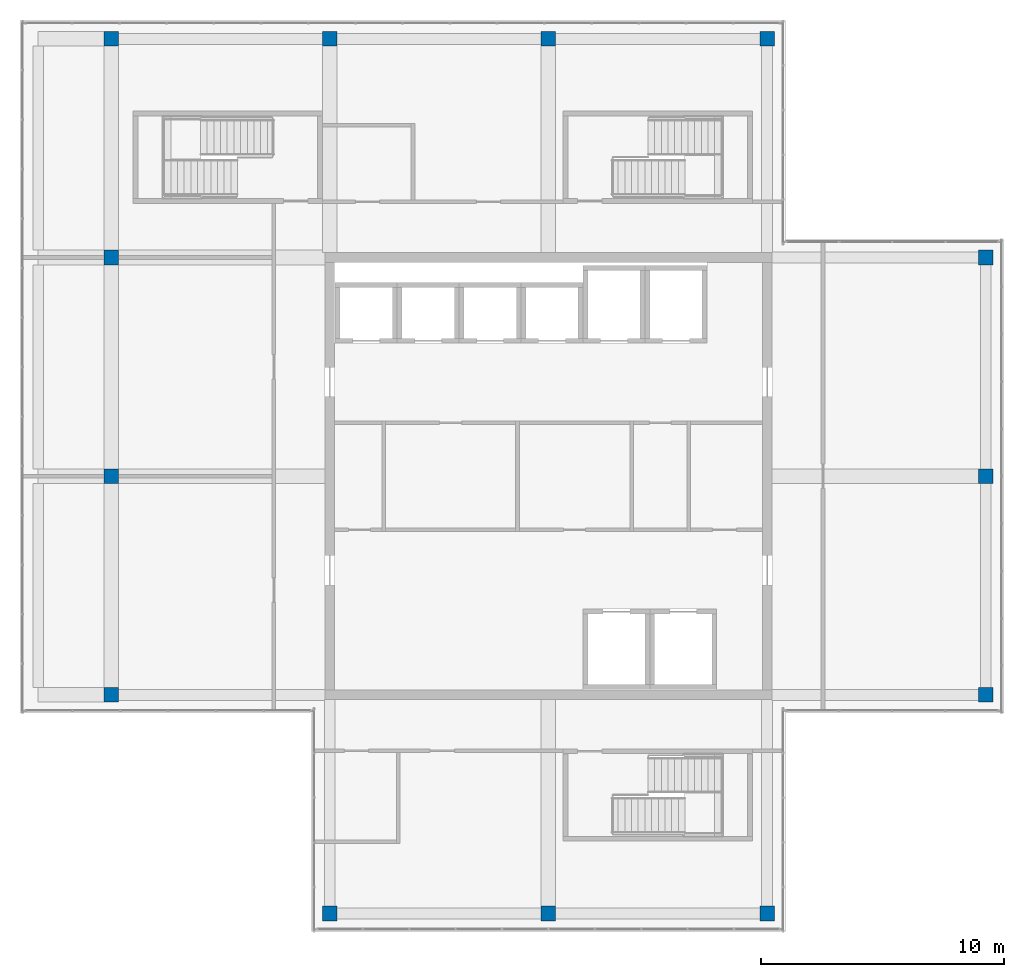
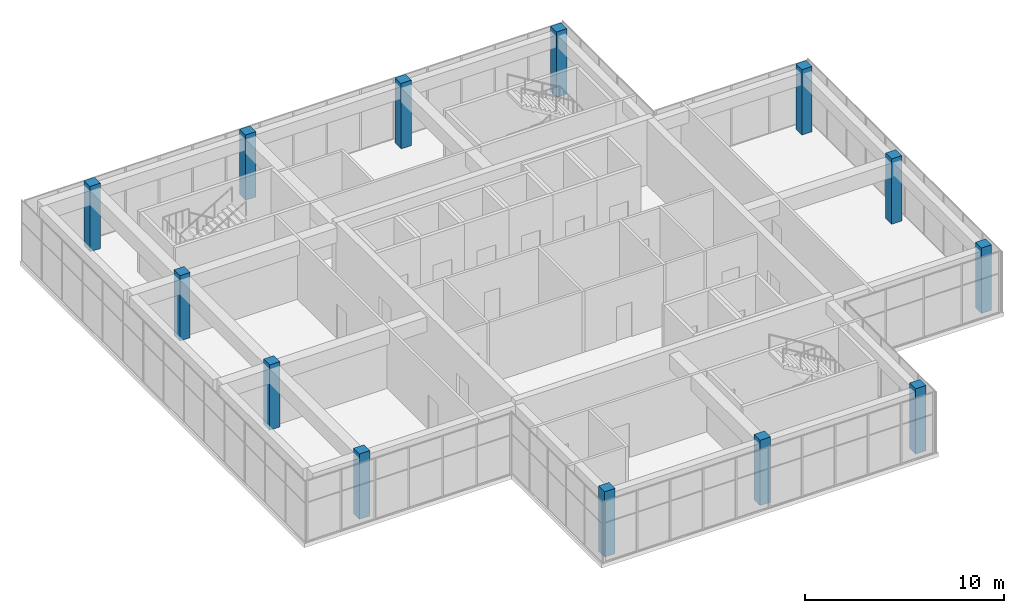
# One storey, part 1 of 35: 13 columns.
"""IFC4 building model written with IfcOpenShell, lengths in metres."""

from ifc_helpers import new_model, si_unit, direction, frame, origin, origin_2d, place, context, subcontext, project, spatial, rectangle, extrude, material, material_profile, profile_set, type_object, element, save


model = new_model("IFC4")

# Units and contexts
model_context = context("Model", 3, precision=1e-05, world=origin(), true_north=direction((0.0, 1.0)))
body_context = subcontext(model_context, "Body", "Model", "MODEL_VIEW")
ifc_project = project(units=[si_unit("LENGTHUNIT", "METRE"), si_unit("AREAUNIT", "SQUARE_METRE"), si_unit("VOLUMEUNIT", "CUBIC_METRE"), si_unit("PLANEANGLEUNIT", "RADIAN"), si_unit("MASSUNIT", "GRAM", prefix="KILO")], contexts=[model_context])

# Site, building, storey
site_placement = place(None, origin())
site = spatial("IfcSite", under=ifc_project, at=site_placement, CompositionType="ELEMENT")
building_placement = place(site_placement, origin())
building = spatial("IfcBuilding", under=site, at=building_placement, Name="Tuart Plaza Theatre", CompositionType="ELEMENT")
storey_placement = place(building_placement, frame((0.0, 0.0, 45.5)))
storey = spatial("IfcBuildingStorey", under=building, at=storey_placement, Name="L11", CompositionType="ELEMENT", Elevation=45.5)

# Columns
ifc_material = material(Name="Concrete N40 (40 MPa)", Category="concrete")
ifc_material_profile = material_profile(ifc_material, rectangle(XDim=0.60009765625, YDim=0.60009765625, at=origin_2d()), Name="COLUMN 600x600 Concrete N40 (40 MPa)")
ifc_profile_set = profile_set([ifc_material_profile], Name="Concrete N40 (40 MPa)")
column_type = type_object("IfcColumnType", Name="COLUMN 600x600 Concrete N40 (40 MPa)", PredefinedType="COLUMN", material=ifc_profile_set)
for number, where, z_axis, x_axis, name in (
    (1, (114.0, 65.0, 0.0), (0.0, 0.0, 1.0), (1.0, 0.0, 0.0), "C80"),
    (2, (114.0, 74.0, 0.0), (0.0, 0.0, 1.0), (1.0, 0.0, 0.0), "C81"),
    (3, (114.0, 83.0, 0.0), (0.0, 0.0, 1.0), (1.0, 0.0, 0.0), "C82"),
    (4, (114.0, 92.0, 0.0), (0.0, 0.0, 1.0), (1.0, 0.0, 0.0), "C83"),
    (5, (123.0, 56.0, 0.0), (0.0, 0.0, 1.0), (1.0, 0.0, 0.0), "C84"),
    (6, (123.0, 92.0, 0.0), (0.0, 0.0, 1.0), (1.0, 0.0, 0.0), "C85"),
    (7, (132.0, 56.0, 0.0), (0.0, 0.0, 1.0), (1.0, 0.0, 0.0), "C86"),
    (8, (132.0, 92.0, 0.0), (0.0, 0.0, 1.0), (1.0, 0.0, 0.0), "C87"),
    (9, (141.0, 56.0, 0.0), (0.0, 0.0, 1.0), (1.0, 0.0, 0.0), "C88"),
    (10, (141.0, 92.0, 0.0), (0.0, 0.0, 1.0), (1.0, 0.0, 0.0), "C89"),
    (11, (150.0, 65.0, 0.0), (0.0, 0.0, 1.0), (1.0, 0.0, 0.0), "C90"),
    (12, (150.0, 74.0, 0.0), (0.0, 0.0, 1.0), (1.0, 0.0, 0.0), "C91"),
    (13, (150.0, 83.0, 0.0), (0.0, 0.0, 1.0), (1.0, 0.0, 0.0), "C92"),
):
    element("IfcColumn", number, at=place(storey_placement, frame(where, z_axis=z_axis, x_axis=x_axis)), inside=storey, type_object=column_type, Name=name, PredefinedType="COLUMN", context=body_context, shape_type="SweptSolid", body=[
        extrude(rectangle(XDim=0.60009765625, YDim=0.60009765625, at=origin_2d()), origin(), (0.0, 0.0, 1.0), 4.0),
    ])

save(model, "model.ifc")
